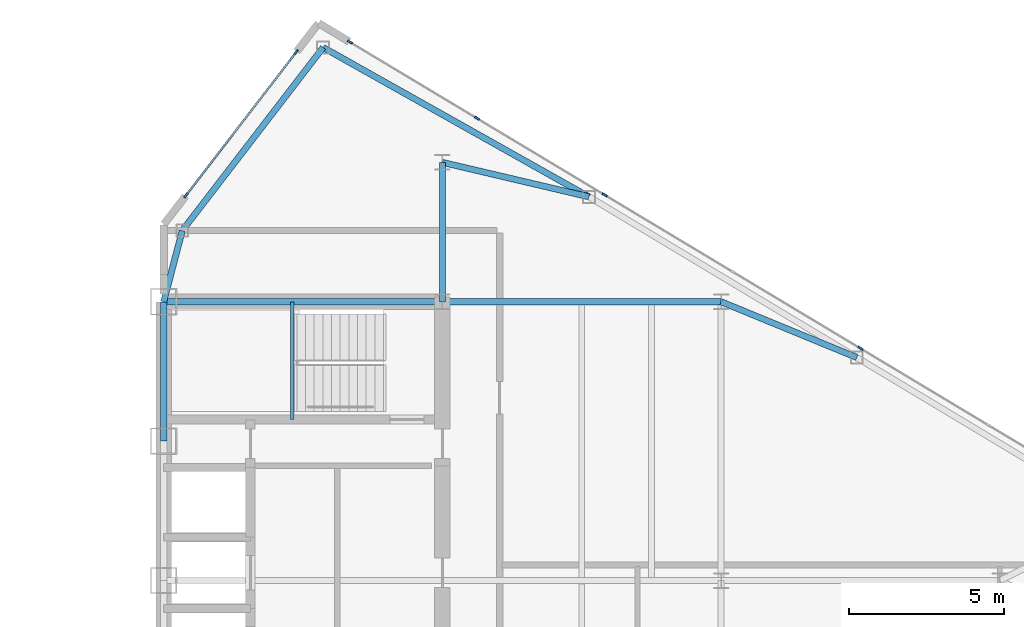
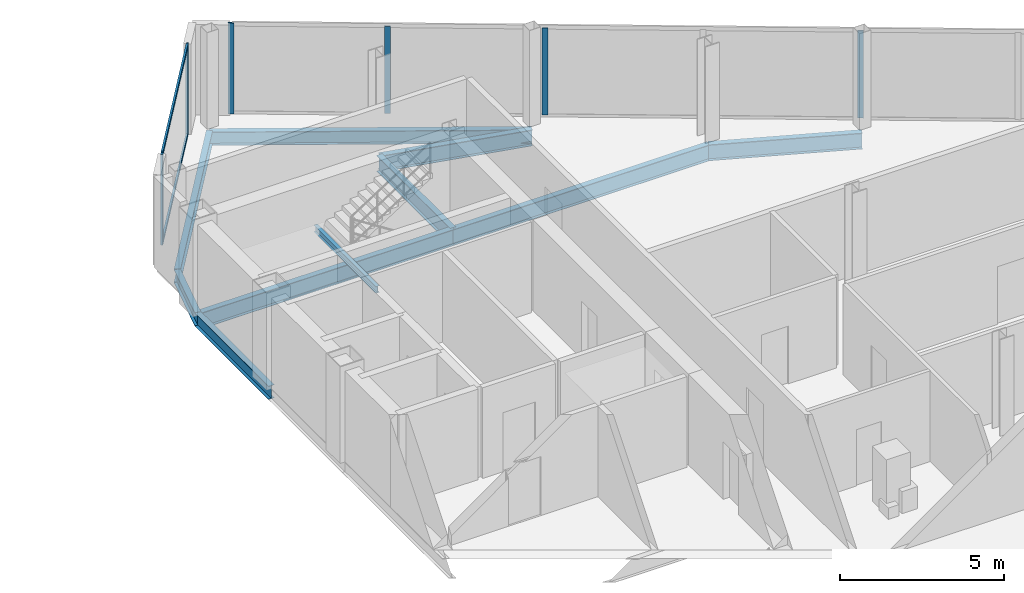
# One storey, part 15 of 25: 10 beams, 8 members, 2 elements without a shape of their own.
"""IFC4 building model written with IfcOpenShell, lengths in metres."""

from ifc_helpers import new_model, si_unit, direction, frame, origin, origin_2d, place, context, subcontext, project, spatial, rectangle, i_section, extrude, source, transform, mapped, material, layer, layer_set, material_profile, profile_set, type_object, type_shapes, element, aggregate, save


model = new_model("IFC4")

# Units and contexts
model_context = context("Model", 3, precision=1e-05, world=origin(), true_north=direction((0.0, 1.0)))
body_context = subcontext(model_context, "Body", "Model", "MODEL_VIEW")
ifc_project = project(units=[si_unit("LENGTHUNIT", "METRE"), si_unit("AREAUNIT", "SQUARE_METRE"), si_unit("VOLUMEUNIT", "CUBIC_METRE"), si_unit("PLANEANGLEUNIT", "RADIAN"), si_unit("MASSUNIT", "GRAM", prefix="KILO")], contexts=[model_context])

# Site, building, storey
site_placement = place(None, origin())
site = spatial("IfcSite", under=ifc_project, at=site_placement, CompositionType="ELEMENT")
building_placement = place(site_placement, origin())
building = spatial("IfcBuilding", under=site, at=building_placement, Name="Seokmaru Belvedere", CompositionType="ELEMENT")
storey_placement = place(building_placement, frame((0.0, 0.0, 217.5)))
storey = spatial("IfcBuildingStorey", under=building, at=storey_placement, Name="L58", CompositionType="ELEMENT", Elevation=217.5)

# Beams
ifc_material_1 = material(Name="Steel SM355 (355 MPa)", Category="steel")
ifc_material_profile_1 = material_profile(ifc_material_1, i_section(OverallWidth=0.199951171875, OverallDepth=0.5, WebThickness=0.010009765625, FlangeThickness=0.01611328125, at=origin_2d()), Name="H-500x200x10x16")
ifc_profile_set_1 = profile_set([ifc_material_profile_1], Name="Steel SM355 (355 MPa)")
beam_type_1 = type_object("IfcBeamType", Name="Perimeter Spandrel Beam H-500", PredefinedType="SPANDREL", material=ifc_profile_set_1)
shared_shape_1 = source(origin(), body_context, "Body", "SweptSolid", [
    extrude(i_section(OverallWidth=0.199951171875, OverallDepth=0.5, WebThickness=0.010009765625, FlangeThickness=0.01611328125, at=origin_2d()), origin(), (0.0, 0.0, 1.0), 4.5),
])
beam_1_placement = place(storey_placement, frame((27.5, 9.0, -0.469970703125), z_axis=(0.0, 1.0, 0.0), x_axis=(-1.0, 0.0, 0.0)))
element("IfcBeam", 1, at=beam_1_placement, inside=storey, type_object=beam_type_1, Name="L58 E Portal Spine Spandrel 5", PredefinedType="SPANDREL", context=body_context, shape_type="MappedRepresentation", body=[
    mapped(shared_shape_1, transform((0.0, 0.0, 0.0), scale=1.0)),
])
ifc_material_profile_2 = material_profile(ifc_material_1, i_section(OverallWidth=0.199951171875, OverallDepth=0.60009765625, WebThickness=0.010986328125, FlangeThickness=0.01708984375, at=origin_2d()), Name="H-600x200x11x17")
ifc_profile_set_2 = profile_set([ifc_material_profile_2], Name="Steel SM355 (355 MPa)")
beam_type_2 = type_object("IfcBeamType", Name="Primary Floor Girder H-600", PredefinedType="BEAM", material=ifc_profile_set_2)
shared_shape_2 = source(origin(), body_context, "Body", "SweptSolid", [
    extrude(i_section(OverallWidth=0.199951171875, OverallDepth=0.60009765625, WebThickness=0.010986328125, FlangeThickness=0.01708984375, at=origin_2d()), origin(), (0.0, 0.0, 1.0), 9.0),
])
for number, where, z_axis, x_axis, name in (
    (2, (27.5, 13.5, -0.52001953125), (1.0, 0.0, 0.0), (0.0, 1.0, 0.0), "L58 E Core Tie Girder 4"),
    (3, (36.5, 13.5, -0.52001953125), (1.0, 0.0, 0.0), (0.0, 1.0, 0.0), "L58 E Wing Primary Girder 4"),
):
    element("IfcBeam", number, at=place(storey_placement, frame(where, z_axis=z_axis, x_axis=x_axis)), inside=storey, type_object=beam_type_2, Name=name, PredefinedType="BEAM", context=body_context, shape_type="MappedRepresentation", body=[
        mapped(shared_shape_2, transform((0.0, 0.0, 0.0), scale=1.0)),
    ])
shared_shape_3 = source(origin(), body_context, "Body", "SweptSolid", [
    extrude(i_section(OverallWidth=0.199951171875, OverallDepth=0.60009765625, WebThickness=0.010986328125, FlangeThickness=0.01708984375, at=origin_2d()), origin(), (0.0, 0.0, 1.0), 4.5),
])
beam_2_placement = place(storey_placement, frame((36.5, 13.5, -0.52001953125), z_axis=(0.0, 1.0, 0.0), x_axis=(-1.0, 0.0, 0.0)))
element("IfcBeam", 4, at=beam_2_placement, inside=storey, type_object=beam_type_2, Name="L58 E Core Shoulder Girder N", PredefinedType="BEAM", context=body_context, shape_type="MappedRepresentation", body=[
    mapped(shared_shape_3, transform((0.0, 0.0, 0.0), scale=1.0)),
])
shared_shape_4 = source(origin(), body_context, "Body", "SweptSolid", [
    extrude(i_section(OverallWidth=0.199951171875, OverallDepth=0.5, WebThickness=0.010009765625, FlangeThickness=0.01611328125, at=origin_2d()), origin(), (0.0, 0.0, 1.0), 9.842041015625),
])
beam_3_placement = place(storey_placement, frame((32.649658203125, 21.71044921875, -0.469970703125), z_axis=(0.871782151818, -0.489893743349, 0.0), x_axis=(0.489893743349, 0.871782151818, 0.0)))
element("IfcBeam", 5, at=beam_3_placement, inside=storey, type_object=beam_type_1, Name="L58 E Faceted Flank Spandrel N-1", PredefinedType="SPANDREL", context=body_context, shape_type="MappedRepresentation", body=[
    mapped(shared_shape_4, transform((0.0, 0.0, 0.0), scale=1.0)),
])
shared_shape_5 = source(origin(), body_context, "Body", "SweptSolid", [
    extrude(i_section(OverallWidth=0.199951171875, OverallDepth=0.5, WebThickness=0.010009765625, FlangeThickness=0.01611328125, at=origin_2d()), origin(), (0.0, 0.0, 1.0), 7.4619140625),
])
beam_4_placement = place(storey_placement, frame((32.649658203125, 21.71044921875, -0.469970703125), z_axis=(-0.609702854945, -0.792630070507, 0.0), x_axis=(0.792630070507, -0.609702854945, 0.0)))
element("IfcBeam", 6, at=beam_4_placement, inside=storey, type_object=beam_type_1, Name="L58 E Shoulder Chamfer Spandrel N", PredefinedType="SPANDREL", context=body_context, shape_type="MappedRepresentation", body=[
    mapped(shared_shape_5, transform((0.0, 0.0, 0.0), scale=1.0)),
])
shared_shape_6 = source(origin(), body_context, "Body", "SweptSolid", [
    extrude(i_section(OverallWidth=0.199951171875, OverallDepth=0.5, WebThickness=0.010009765625, FlangeThickness=0.01611328125, at=origin_2d()), origin(), (0.0, 0.0, 1.0), 2.373046875),
])
type_shapes(beam_type_1, [shared_shape_1, shared_shape_4, shared_shape_5, shared_shape_6])
beam_5_placement = place(storey_placement, frame((28.10009765625, 15.7958984375, -0.469970703125), z_axis=(-0.252882558842, -0.967496982648, 0.0), x_axis=(0.967496982648, -0.252882558842, 0.0)))
element("IfcBeam", 7, at=beam_5_placement, inside=storey, type_object=beam_type_1, Name="L58 E Shoulder Spine Spandrel N", PredefinedType="SPANDREL", context=body_context, shape_type="MappedRepresentation", body=[
    mapped(shared_shape_6, transform((0.0, 0.0, 0.0), scale=1.0)),
])
shared_shape_7 = source(origin(), body_context, "Body", "SweptSolid", [
    extrude(i_section(OverallWidth=0.199951171875, OverallDepth=0.60009765625, WebThickness=0.010986328125, FlangeThickness=0.01708984375, at=origin_2d()), origin(), (0.0, 0.0, 1.0), 4.8583984375),
])
beam_6_placement = place(storey_placement, frame((41.229736328125, 16.888916015625, -0.52001953125), z_axis=(-0.97349948295, 0.228689214211, 0.0), x_axis=(-0.228689214211, -0.97349948295, 0.0)))
element("IfcBeam", 8, at=beam_6_placement, inside=storey, type_object=beam_type_2, Name="L58 E Flank Radial Floor Girder N-1", PredefinedType="BEAM", context=body_context, shape_type="MappedRepresentation", body=[
    mapped(shared_shape_7, transform((0.0, 0.0, 0.0), scale=1.0)),
])
shared_shape_8 = source(origin(), body_context, "Body", "SweptSolid", [
    extrude(i_section(OverallWidth=0.199951171875, OverallDepth=0.60009765625, WebThickness=0.010986328125, FlangeThickness=0.01708984375, at=origin_2d()), origin(), (0.0, 0.0, 1.0), 4.73583984375),
])
type_shapes(beam_type_2, [shared_shape_2, shared_shape_3, shared_shape_7, shared_shape_8])
beam_7_placement = place(storey_placement, frame((49.8798828125, 11.698974609375, -0.52001953125), z_axis=(-0.924860562953, 0.380306375301, 0.0), x_axis=(-0.380306375301, -0.924860562953, 0.0)))
element("IfcBeam", 9, at=beam_7_placement, inside=storey, type_object=beam_type_2, Name="L58 E Flank Radial Floor Girder N-2", PredefinedType="BEAM", context=body_context, shape_type="MappedRepresentation", body=[
    mapped(shared_shape_8, transform((0.0, 0.0, 0.0), scale=1.0)),
])

# Curtain wall, member
ifc_material_2 = material(Name="Bronze Triple Insulating Glass", Category="glass")
ifc_layer = layer(ifc_material_2, 0.179931640625)
ifc_layer_set = layer_set([ifc_layer], Name="Bronze Triple Insulating Glass")
curtain_wall_type = type_object("IfcCurtainWallType", Name="High-Rise Wind-Corner Curtain Wall System CW-5", PredefinedType="NOTDEFINED", material=ifc_layer_set)
curtain_wall_1_placement = place(storey_placement, origin())
curtain_wall_1 = element("IfcCurtainWall", 10, at=curtain_wall_1_placement, inside=storey, type_object=curtain_wall_type, Name="L58 Curtain Wall EF3", PredefinedType="NOTDEFINED")
ifc_material_3 = material(Name="Anodised Bronze Aluminium", Category="aluminium")
ifc_material_profile_3 = material_profile(ifc_material_3, rectangle(XDim=0.06494140625, YDim=0.179931640625, at=origin_2d()), Name="CW-M-65x180")
ifc_profile_set_3 = profile_set([ifc_material_profile_3], Name="Anodised Bronze Aluminium")
member_type_1 = type_object("IfcMemberType", Name="Bronze Unitised Mullion 65x180", PredefinedType="MULLION", material=ifc_profile_set_3)
shared_shape_9 = source(origin(), body_context, "Body", "SweptSolid", [
    extrude(rectangle(XDim=0.06494140625, YDim=0.179931640625, at=origin_2d()), origin(), (0.0, 0.0, 1.0), 3.3798828125),
])
member_1_placement = place(storey_placement, frame((33.513916015625, 21.8916015625, 0.0), z_axis=(0.0, 0.0, 1.0), x_axis=(-0.514494909364, -0.85749343335, 0.0)))
member_1 = element("IfcMember", 11, at=member_1_placement, type_object=member_type_1, Name="CW:L58:EF3 Mullion 9", PredefinedType="MULLION", context=body_context, shape_type="MappedRepresentation", body=[
    mapped(shared_shape_9, transform((0.0, 0.0, 0.0), scale=1.0)),
])

# Curtain wall, members
curtain_wall_2_placement = place(storey_placement, origin())
curtain_wall_2 = element("IfcCurtainWall", 12, at=curtain_wall_2_placement, inside=storey, type_object=curtain_wall_type, Name="L58 Curtain Wall EF4", PredefinedType="NOTDEFINED")
member_2_placement = place(storey_placement, frame((31.779052734375, 21.562744140625, 0.0), z_axis=(0.0, 0.0, 1.0), x_axis=(0.792631353244, -0.609701187349, 0.0)))
member_2 = element("IfcMember", 13, at=member_2_placement, type_object=member_type_1, Name="CW:L58:EF4 Mullion 1", PredefinedType="MULLION", context=body_context, shape_type="MappedRepresentation", body=[
    mapped(shared_shape_9, transform((0.0, 0.0, 0.0), scale=1.0)),
])
member_3_placement = place(storey_placement, frame((28.220947265625, 16.937255859375, 0.0), z_axis=(0.0, 0.0, 1.0), x_axis=(0.792631353244, -0.609701187349, 0.0)))
member_3 = element("IfcMember", 14, at=member_3_placement, type_object=member_type_1, Name="CW:L58:EF4 Mullion 2", PredefinedType="MULLION", context=body_context, shape_type="MappedRepresentation", body=[
    mapped(shared_shape_9, transform((0.0, 0.0, 0.0), scale=1.0)),
])

# Member
shared_shape_10 = source(origin(), body_context, "Body", "SweptSolid", [
    extrude(rectangle(XDim=0.06494140625, YDim=0.179931640625, at=origin_2d()), origin(), (0.0, 0.0, 1.0), 3.25),
])
type_shapes(member_type_1, [shared_shape_9, shared_shape_10])
member_4_placement = place(storey_placement, frame((50.0, 12.0, 0.06494140625), z_axis=(0.0, 0.0, 1.0), x_axis=(-0.514494909364, -0.85749343335, 0.0)))
member_4 = element("IfcMember", 15, at=member_4_placement, type_object=member_type_1, Name="CW:L58:EF3 Mullion 5", PredefinedType="MULLION", context=body_context, shape_type="MappedRepresentation", body=[
    mapped(shared_shape_10, transform((0.0, 0.0, 0.0), scale=1.0)),
])

member_5_placement = place(storey_placement, frame((41.742919921875, 16.9541015625, 0.06494140625), z_axis=(0.0, 0.0, 1.0), x_axis=(-0.514494909364, -0.85749343335, 0.0)))
member_5 = element("IfcMember", 16, at=member_5_placement, type_object=member_type_1, Name="CW:L58:EF3 Mullion 7", PredefinedType="MULLION", context=body_context, shape_type="MappedRepresentation", body=[
    mapped(shared_shape_10, transform((0.0, 0.0, 0.0), scale=1.0)),
])

member_6_placement = place(storey_placement, frame((37.614501953125, 19.43115234375, 0.06494140625), z_axis=(0.0, 0.0, 1.0), x_axis=(-0.514494909364, -0.85749343335, 0.0)))
member_6 = element("IfcMember", 17, at=member_6_placement, type_object=member_type_1, Name="CW:L58:EF3 Mullion 8", PredefinedType="MULLION", context=body_context, shape_type="MappedRepresentation", body=[
    mapped(shared_shape_10, transform((0.0, 0.0, 0.0), scale=1.0)),
])

aggregate(curtain_wall_1, [member_4, member_5, member_6, member_1])

ifc_material_profile_4 = material_profile(ifc_material_3, rectangle(XDim=0.06494140625, YDim=0.14990234375, at=origin_2d()), Name="CW-T-65x150")
ifc_profile_set_4 = profile_set([ifc_material_profile_4], Name="Anodised Bronze Aluminium")
member_type_2 = type_object("IfcMemberType", Name="Bronze Unitised Transom 65x150", PredefinedType="USERDEFINED", material=ifc_profile_set_4)
shared_shape_11 = source(origin(), body_context, "Body", "SweptSolid", [
    extrude(rectangle(XDim=0.06494140625, YDim=0.14990234375, at=origin_2d()), origin(), (0.0, 0.0, 1.0), 5.77099609375),
])
type_shapes(member_type_2, [shared_shape_11])
member_7_placement = place(storey_placement, frame((31.75927734375, 21.537109375, 0.032470703125), z_axis=(-0.60970258286, -0.792630279799, 0.0), x_axis=(0.792630279799, -0.60970258286, 0.0)))
member_7 = element("IfcMember", 18, at=member_7_placement, type_object=member_type_2, Name="CW:L58:EF4 Continuous Transom 1", ObjectType="TRANSOM", PredefinedType="USERDEFINED", context=body_context, shape_type="MappedRepresentation", body=[
    mapped(shared_shape_11, transform((0.0, 0.0, 0.0), scale=1.0)),
])

member_8_placement = place(storey_placement, frame((31.75927734375, 21.537109375, 3.347412109375), z_axis=(-0.60970258286, -0.792630279799, 0.0), x_axis=(0.792630279799, -0.60970258286, 0.0)))
member_8 = element("IfcMember", 19, at=member_8_placement, type_object=member_type_2, Name="CW:L58:EF4 Continuous Transom 2", ObjectType="TRANSOM", PredefinedType="USERDEFINED", context=body_context, shape_type="MappedRepresentation", body=[
    mapped(shared_shape_11, transform((0.0, 0.0, 0.0), scale=1.0)),
])

aggregate(curtain_wall_2, [member_2, member_3, member_7, member_8])

# Beam
ifc_material_profile_5 = material_profile(ifc_material_1, i_section(OverallWidth=0.125, OverallDepth=0.25, WebThickness=0.006103515625, FlangeThickness=0.009033203125, at=origin_2d()), Name="H-250x125x6x9")
ifc_profile_set_5 = profile_set([ifc_material_profile_5], Name="Steel SM355 (355 MPa)")
beam_type_3 = type_object("IfcBeamType", Name="Stair Mid-Landing Support Beam H-250", PredefinedType="JOIST", material=ifc_profile_set_5)
shared_shape_12 = source(origin(), body_context, "Body", "SweptSolid", [
    extrude(i_section(OverallWidth=0.125, OverallDepth=0.25, WebThickness=0.006103515625, FlangeThickness=0.009033203125, at=origin_2d()), origin(), (0.0, 0.0, 1.0), 3.800048828125),
])
type_shapes(beam_type_3, [shared_shape_12])
beam_8_placement = place(storey_placement, frame((31.64990234375, 9.699951171875, 1.47509765625), z_axis=(0.0, 1.0, 0.0), x_axis=(-1.0, 0.0, 0.0)))
element("IfcBeam", 20, at=beam_8_placement, inside=storey, type_object=beam_type_3, Name="L58 Stair ST-E2 Mid-Landing Support Beam 1", PredefinedType="JOIST", context=body_context, shape_type="MappedRepresentation", body=[
    mapped(shared_shape_12, transform((0.0, 0.0, 0.0), scale=1.0)),
])

save(model, "model.ifc")
